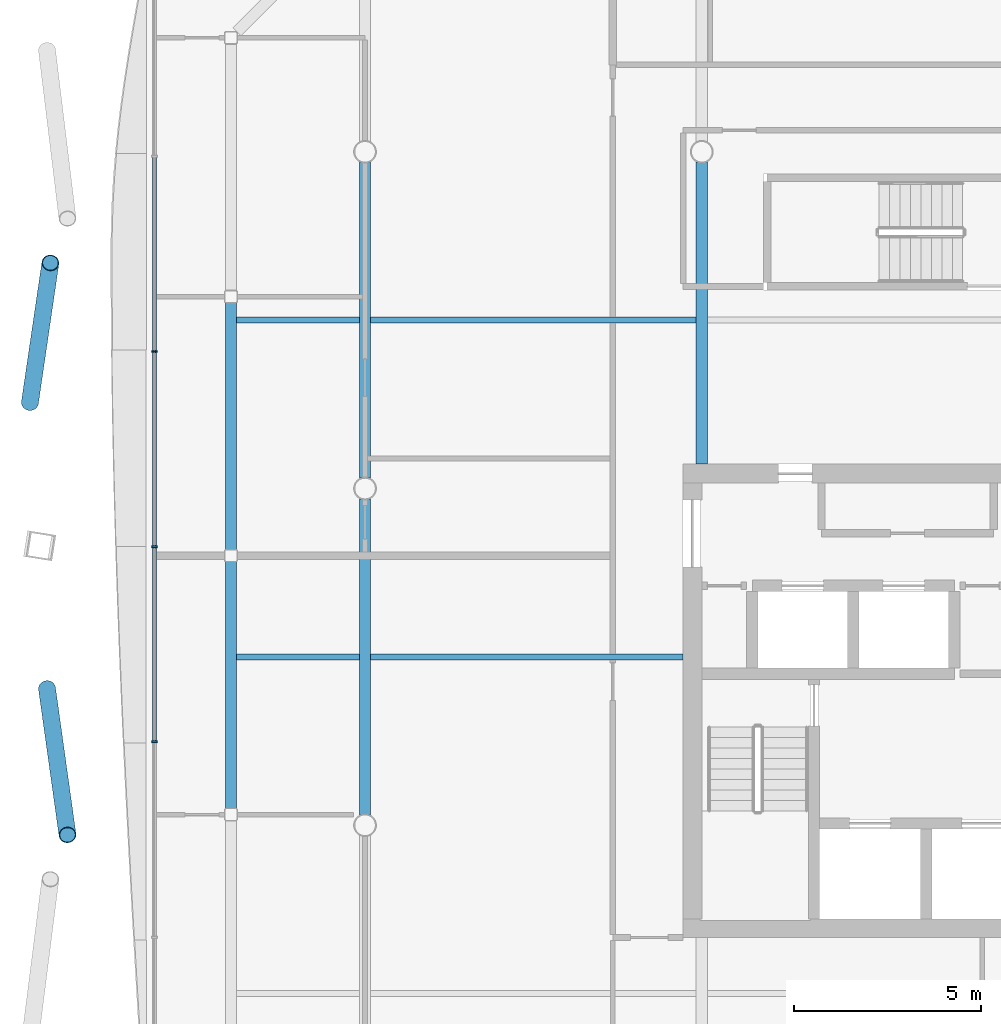
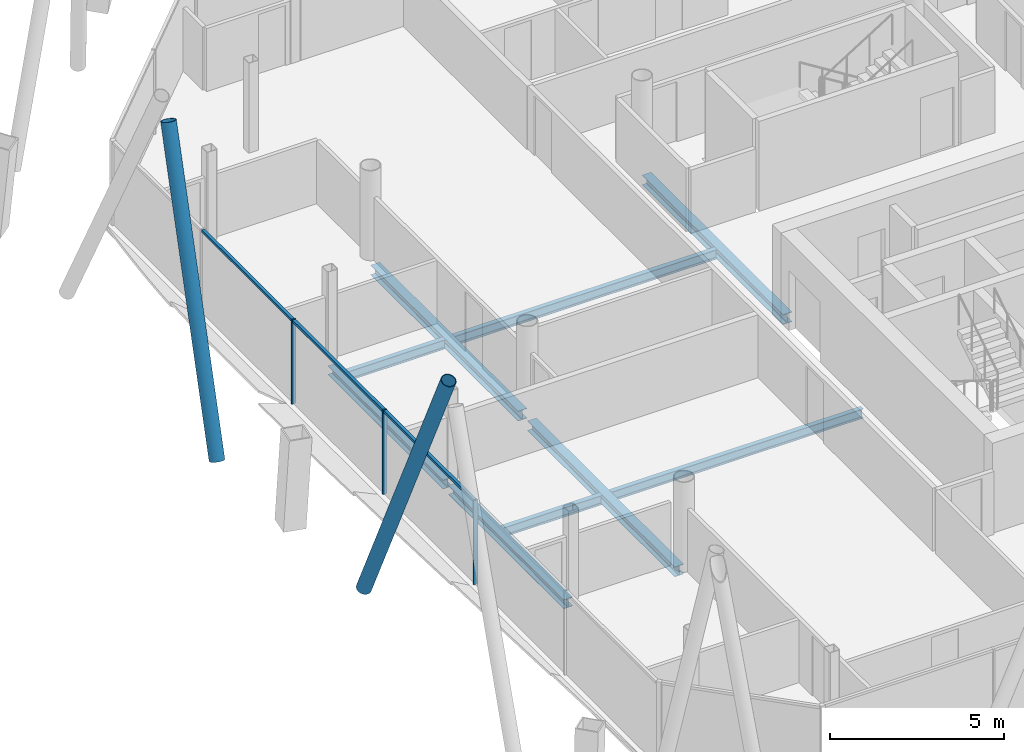
# One storey, part 6 of 20: 9 beams, 8 members, 1 element without a shape of its own.
"""IFC4 building model written with IfcOpenShell, lengths in metres."""

from ifc_helpers import new_model, si_unit, direction, frame, origin, origin_2d, place, context, subcontext, project, spatial, rectangle, hollow_circle, i_section, extrude, material, material_profile, profile_set, type_object, element, aggregate, save


model = new_model("IFC4")

# Units and contexts
model_context = context("Model", 3, precision=1e-05, world=origin(), true_north=direction((0.0, 1.0)))
body_context = subcontext(model_context, "Body", "Model", "MODEL_VIEW")
ifc_project = project(units=[si_unit("LENGTHUNIT", "METRE"), si_unit("AREAUNIT", "SQUARE_METRE"), si_unit("VOLUMEUNIT", "CUBIC_METRE"), si_unit("PLANEANGLEUNIT", "RADIAN"), si_unit("MASSUNIT", "GRAM", prefix="KILO")], contexts=[model_context])

# Site, building, storey
site_placement = place(None, origin())
site = spatial("IfcSite", under=ifc_project, at=site_placement, CompositionType="ELEMENT")
building_placement = place(site_placement, origin())
building = spatial("IfcBuilding", under=site, at=building_placement, Name="Tskaro Facet Tower", CompositionType="ELEMENT")
storey_placement = place(building_placement, frame((0.0, 0.0, 181.64990234375)))
storey = spatial("IfcBuildingStorey", under=building, at=storey_placement, Name="L45", CompositionType="ELEMENT", Elevation=181.64990234375)

# Members
ifc_material_1 = material(Name="Steel S355J2H", Category="steel")
ifc_material_profile_1 = material_profile(ifc_material_1, hollow_circle(Radius=0.228515625, WallThickness=0.02001953125, at=origin_2d()), Name="CHS 457x20")
ifc_profile_set_1 = profile_set([ifc_material_profile_1], Name="Steel S355J2H")
member_type_1 = type_object("IfcMemberType", Name="CHS 457x20 brace", PredefinedType="BRACE", material=ifc_profile_set_1)
member_1_placement = place(storey_placement, frame((-26.956787109375, 2.298828125, 0.0), z_axis=(0.053840694381, 0.366831718531, 0.928727984885), x_axis=(-0.989399918881, 0.145216392045, 0.0)))
element("IfcMember", 1, at=member_1_placement, inside=storey, type_object=member_type_1, Name="CHS 457x20 XB10B/4", PredefinedType="BRACE", context=body_context, shape_type="SweptSolid", body=[
    extrude(hollow_circle(Radius=0.228515625, WallThickness=0.02001953125, at=origin_2d()), origin(), (0.0, 0.0, 1.0), 10.175537109375),
])
member_2_placement = place(storey_placement, frame((-26.499755859375, -5.346435546875, 0.0), z_axis=(0.053486554569, -0.381985527417, 0.922619230953), x_axis=(0.990338691799, 0.138669663322, 0.0)))
element("IfcMember", 2, at=member_2_placement, inside=storey, type_object=member_type_1, Name="CHS 457x20 XB11A/4", PredefinedType="BRACE", context=body_context, shape_type="SweptSolid", body=[
    extrude(hollow_circle(Radius=0.228515625, WallThickness=0.02001953125, at=origin_2d()), origin(), (0.0, 0.0, 1.0), 10.24267578125),
])

# Curtain wall, members
ifc_material_2 = material(Name="Bronze anodised aluminium 6063-T6", Category="aluminium")
curtain_wall_type = type_object("IfcCurtainWallType", Name="Bronze residence curtain wall (FW3)", PredefinedType="NOTDEFINED", material=ifc_material_2)
curtain_wall_placement = place(storey_placement, origin())
curtain_wall = element("IfcCurtainWall", 3, at=curtain_wall_placement, inside=storey, type_object=curtain_wall_type, Name="FW3 west facet L45", PredefinedType="NOTDEFINED")
ifc_material_profile_2 = material_profile(ifc_material_2, rectangle(XDim=0.050048828125, YDim=0.139892578125, at=origin_2d()), Name="Mullion 50x140")
ifc_profile_set_2 = profile_set([ifc_material_profile_2], Name="Bronze anodised aluminium 6063-T6")
member_type_2 = type_object("IfcMemberType", Name="FW3 bronze mullion 50x140", PredefinedType="MULLION", material=ifc_profile_set_2)
member_3_placement = place(storey_placement, frame((-23.6279296875, 3.66357421875, 0.0), z_axis=(0.0, 0.0, 1.0), x_axis=(0.0, -1.0, 0.0)))
member_3 = element("IfcMember", 4, at=member_3_placement, type_object=member_type_2, Name="FW3 west mullion 2", PredefinedType="MULLION", context=body_context, shape_type="SweptSolid", body=[
    extrude(rectangle(XDim=0.050048828125, YDim=0.139892578125, at=origin_2d()), origin(), (0.0, 0.0, 1.0), 2.9501953125),
])
member_4_placement = place(storey_placement, frame((-23.6279296875, -1.554443359375, 0.0), z_axis=(0.0, 0.0, 1.0), x_axis=(0.0, -1.0, 0.0)))
member_4 = element("IfcMember", 5, at=member_4_placement, type_object=member_type_2, Name="FW3 west mullion 3", PredefinedType="MULLION", context=body_context, shape_type="SweptSolid", body=[
    extrude(rectangle(XDim=0.050048828125, YDim=0.139892578125, at=origin_2d()), origin(), (0.0, 0.0, 1.0), 2.9501953125),
])
member_5_placement = place(storey_placement, frame((-23.6279296875, -6.772705078125, 0.0), z_axis=(0.0, 0.0, 1.0), x_axis=(0.0, -1.0, 0.0)))
member_5 = element("IfcMember", 6, at=member_5_placement, type_object=member_type_2, Name="FW3 west mullion 4", PredefinedType="MULLION", context=body_context, shape_type="SweptSolid", body=[
    extrude(rectangle(XDim=0.050048828125, YDim=0.139892578125, at=origin_2d()), origin(), (0.0, 0.0, 1.0), 2.9501953125),
])
ifc_material_profile_3 = material_profile(ifc_material_2, rectangle(XDim=0.10009765625, YDim=0.090087890625, at=origin_2d()), Name="Transom 100x90")
ifc_profile_set_3 = profile_set([ifc_material_profile_3], Name="Bronze anodised aluminium 6063-T6")
member_type_3 = type_object("IfcMemberType", Name="FW3 bronze transom 100x90", PredefinedType="USERDEFINED", material=ifc_profile_set_3)
member_6_placement = place(storey_placement, frame((-23.6279296875, 8.85693359375, 2.905029296875), z_axis=(0.0, -1.0, 0.0), x_axis=(1.0, 0.0, 0.0)))
member_6 = element("IfcMember", 7, at=member_6_placement, type_object=member_type_3, Name="FW3 west transom 2.1", ObjectType="TRANSOM", PredefinedType="USERDEFINED", context=body_context, shape_type="SweptSolid", body=[
    extrude(rectangle(XDim=0.10009765625, YDim=0.090087890625, at=origin_2d()), origin(), (0.0, 0.0, 1.0), 5.168212890625),
])
member_7_placement = place(storey_placement, frame((-23.6279296875, 3.638671875, 2.905029296875), z_axis=(0.0, -1.0, 0.0), x_axis=(1.0, 0.0, 0.0)))
member_7 = element("IfcMember", 8, at=member_7_placement, type_object=member_type_3, Name="FW3 west transom 3.1", ObjectType="TRANSOM", PredefinedType="USERDEFINED", context=body_context, shape_type="SweptSolid", body=[
    extrude(rectangle(XDim=0.10009765625, YDim=0.090087890625, at=origin_2d()), origin(), (0.0, 0.0, 1.0), 5.168212890625),
])
member_8_placement = place(storey_placement, frame((-23.6279296875, -1.57958984375, 2.905029296875), z_axis=(0.0, -1.0, 0.0), x_axis=(1.0, 0.0, 0.0)))
member_8 = element("IfcMember", 9, at=member_8_placement, type_object=member_type_3, Name="FW3 west transom 4.1", ObjectType="TRANSOM", PredefinedType="USERDEFINED", context=body_context, shape_type="SweptSolid", body=[
    extrude(rectangle(XDim=0.10009765625, YDim=0.090087890625, at=origin_2d()), origin(), (0.0, 0.0, 1.0), 5.16796875),
])
aggregate(curtain_wall, [member_3, member_4, member_5, member_6, member_7, member_8])

# Beams
ifc_material_3 = material(Name="Steel S355J2", Category="steel")
ifc_material_profile_4 = material_profile(ifc_material_3, i_section(OverallWidth=0.300048828125, OverallDepth=0.320068359375, WebThickness=0.011474609375, FlangeThickness=0.0205078125, FilletRadius=0.027099609375, at=origin_2d()), Name="HE 320 B")
ifc_profile_set_4 = profile_set([ifc_material_profile_4], Name="Steel S355J2")
beam_type_1 = type_object("IfcBeamType", Name="HE 320 B ring beam", PredefinedType="BEAM", material=ifc_profile_set_4)
beam_1_placement = place(storey_placement, frame((-21.5830078125, 4.970947265625, -0.2998046875), z_axis=(0.0, -1.0, 0.0), x_axis=(1.0, 0.0, 0.0)))
element("IfcBeam", 10, at=beam_1_placement, inside=storey, type_object=beam_type_1, Name="HE 320 B EB18-4", PredefinedType="BEAM", context=body_context, shape_type="SweptSolid", body=[
    extrude(i_section(OverallWidth=0.300048828125, OverallDepth=0.320068359375, WebThickness=0.011474609375, FlangeThickness=0.0205078125, FilletRadius=0.027099609375, at=origin_2d()), origin(), (0.0, 0.0, 1.0), 6.60888671875),
])
beam_2_placement = place(storey_placement, frame((-21.5830078125, -1.947998046875, -0.2998046875), z_axis=(0.0, -1.0, 0.0), x_axis=(1.0, 0.0, 0.0)))
element("IfcBeam", 11, at=beam_2_placement, inside=storey, type_object=beam_type_1, Name="HE 320 B EB19-4", PredefinedType="BEAM", context=body_context, shape_type="SweptSolid", body=[
    extrude(i_section(OverallWidth=0.300048828125, OverallDepth=0.320068359375, WebThickness=0.011474609375, FlangeThickness=0.0205078125, FilletRadius=0.027099609375, at=origin_2d()), origin(), (0.0, 0.0, 1.0), 6.610107421875),
])
ifc_material_profile_5 = material_profile(ifc_material_3, i_section(OverallWidth=0.300048828125, OverallDepth=0.35009765625, WebThickness=0.010009765625, FlangeThickness=0.017578125, FilletRadius=0.027099609375, at=origin_2d()), Name="HE 360 A")
ifc_profile_set_5 = profile_set([ifc_material_profile_5], Name="Steel S355J2")
beam_type_2 = type_object("IfcBeamType", Name="HE 360 A girder", PredefinedType="BEAM", material=ifc_profile_set_5)
for number, where, z_axis, x_axis, name in (
    (12, (-18.0, -8.72509765625, -0.31494140625), (0.0, 1.0, 0.0), (-1.0, 0.0, 0.0), "HE 360 A GB2-2-4"),
    (13, (-18.0, 0.27490234375, -0.31494140625), (0.0, 1.0, 0.0), (-1.0, 0.0, 0.0), "HE 360 A GB2-3-4"),
):
    element("IfcBeam", number, at=place(storey_placement, frame(where, z_axis=z_axis, x_axis=x_axis)), inside=storey, type_object=beam_type_2, Name=name, PredefinedType="BEAM", context=body_context, shape_type="SweptSolid", body=[
        extrude(i_section(OverallWidth=0.300048828125, OverallDepth=0.35009765625, WebThickness=0.010009765625, FlangeThickness=0.017578125, FilletRadius=0.027099609375, at=origin_2d()), origin(), (0.0, 0.0, 1.0), 8.4501953125),
    ])
beam_3_placement = place(storey_placement, frame((-9.0, 0.64990234375, -0.31494140625), z_axis=(0.0, 1.0, 0.0), x_axis=(-1.0, 0.0, 0.0)))
element("IfcBeam", 14, at=beam_3_placement, inside=storey, type_object=beam_type_2, Name="HE 360 A GB3-2-4", PredefinedType="BEAM", context=body_context, shape_type="SweptSolid", body=[
    extrude(i_section(OverallWidth=0.300048828125, OverallDepth=0.35009765625, WebThickness=0.010009765625, FlangeThickness=0.017578125, FilletRadius=0.027099609375, at=origin_2d()), origin(), (0.0, 0.0, 1.0), 8.0751953125),
])
ifc_material_profile_6 = material_profile(ifc_material_3, i_section(OverallWidth=0.159912109375, OverallDepth=0.330078125, WebThickness=0.007568359375, FlangeThickness=0.011474609375, FilletRadius=0.01806640625, at=origin_2d()), Name="IPE 330")
ifc_profile_set_6 = profile_set([ifc_material_profile_6], Name="Steel S355J2")
beam_type_3 = type_object("IfcBeamType", Name="IPE 330 secondary beam", PredefinedType="BEAM", material=ifc_profile_set_6)
beam_4_placement = place(storey_placement, frame((-21.43310546875, -4.5, -0.304931640625), z_axis=(1.0, 0.0, 0.0), x_axis=(0.0, 1.0, 0.0)))
element("IfcBeam", 15, at=beam_4_placement, inside=storey, type_object=beam_type_3, Name="IPE 330 SB3a-1-4", PredefinedType="BEAM", context=body_context, shape_type="SweptSolid", body=[
    extrude(i_section(OverallWidth=0.159912109375, OverallDepth=0.330078125, WebThickness=0.007568359375, FlangeThickness=0.011474609375, FilletRadius=0.01806640625, at=origin_2d()), origin(), (0.0, 0.0, 1.0), 3.283203125),
])
beam_5_placement = place(storey_placement, frame((-17.85009765625, -4.5, -0.304931640625), z_axis=(1.0, 0.0, 0.0), x_axis=(0.0, 1.0, 0.0)))
element("IfcBeam", 16, at=beam_5_placement, inside=storey, type_object=beam_type_3, Name="IPE 330 SB3a-2-4", PredefinedType="BEAM", context=body_context, shape_type="SweptSolid", body=[
    extrude(i_section(OverallWidth=0.159912109375, OverallDepth=0.330078125, WebThickness=0.007568359375, FlangeThickness=0.011474609375, FilletRadius=0.01806640625, at=origin_2d()), origin(), (0.0, 0.0, 1.0), 8.35009765625),
])
beam_6_placement = place(storey_placement, frame((-21.43310546875, 4.5, -0.304931640625), z_axis=(1.0, 0.0, 0.0), x_axis=(0.0, 1.0, 0.0)))
element("IfcBeam", 17, at=beam_6_placement, inside=storey, type_object=beam_type_3, Name="IPE 330 SB4a-1-4", PredefinedType="BEAM", context=body_context, shape_type="SweptSolid", body=[
    extrude(i_section(OverallWidth=0.159912109375, OverallDepth=0.330078125, WebThickness=0.007568359375, FlangeThickness=0.011474609375, FilletRadius=0.01806640625, at=origin_2d()), origin(), (0.0, 0.0, 1.0), 3.283203125),
])
beam_7_placement = place(storey_placement, frame((-17.85009765625, 4.5, -0.304931640625), z_axis=(1.0, 0.0, 0.0), x_axis=(0.0, 1.0, 0.0)))
element("IfcBeam", 18, at=beam_7_placement, inside=storey, type_object=beam_type_3, Name="IPE 330 SB4a-2-4", PredefinedType="BEAM", context=body_context, shape_type="SweptSolid", body=[
    extrude(i_section(OverallWidth=0.159912109375, OverallDepth=0.330078125, WebThickness=0.007568359375, FlangeThickness=0.011474609375, FilletRadius=0.01806640625, at=origin_2d()), origin(), (0.0, 0.0, 1.0), 8.7001953125),
])

save(model, "model.ifc")
